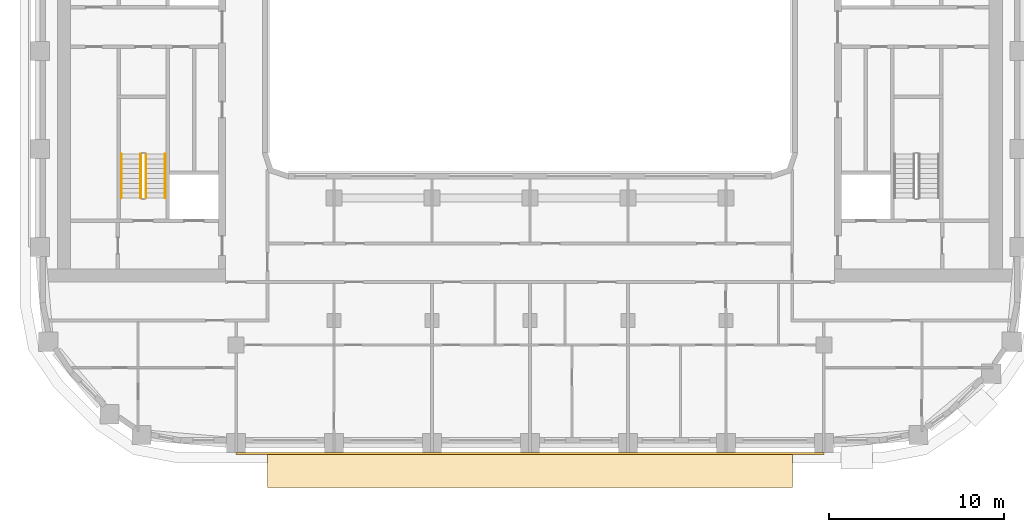
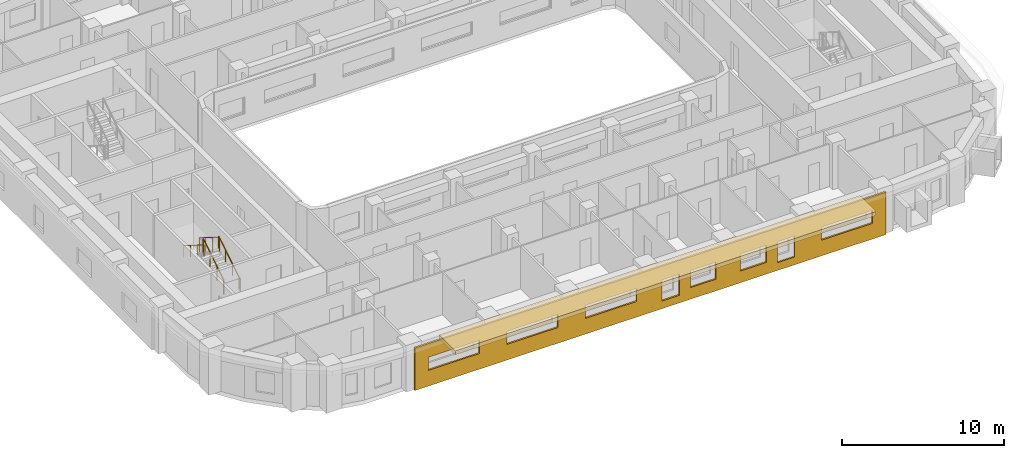
# One storey, part 12 of 22: 4 railings, 2 coverings.
"""IFC4 building model written with IfcOpenShell, lengths in metres."""

from ifc_helpers import new_model, si_unit, direction, frame, origin, origin_2d, place, context, subcontext, project, spatial, polyline, circle, outline, extrude, material, layer, layer_set, type_object, element, save


model = new_model("IFC4")

# Units and contexts
model_context = context("Model", 3, precision=1e-05, world=origin(), true_north=direction((0.0, 1.0)))
body_context = subcontext(model_context, "Body", "Model", "MODEL_VIEW")
ifc_project = project(units=[si_unit("LENGTHUNIT", "METRE"), si_unit("AREAUNIT", "SQUARE_METRE"), si_unit("VOLUMEUNIT", "CUBIC_METRE"), si_unit("PLANEANGLEUNIT", "RADIAN"), si_unit("MASSUNIT", "GRAM", prefix="KILO")], contexts=[model_context])

# Site, building, storey
site_placement = place(None, origin())
site = spatial("IfcSite", under=ifc_project, at=site_placement, CompositionType="ELEMENT")
building_placement = place(site_placement, origin())
building = spatial("IfcBuilding", under=site, at=building_placement, Name="Kiln Ring Residences", CompositionType="ELEMENT")
storey_placement = place(building_placement, frame((0.0, 0.0, 139.60009765625)))
storey = spatial("IfcBuildingStorey", under=building, at=storey_placement, Name="L35", CompositionType="ELEMENT", Elevation=139.60009765625)

# Railings
ifc_material_1 = material(Name="Stainless steel", Category="steel")
railing_type_1 = type_object("IfcRailingType", Name="CORE-STAIR-GUARD", PredefinedType="GUARDRAIL", material=ifc_material_1)
railing_1_placement = place(storey_placement, frame((-21.949951171875, -8.39990234375, 0.1748046875)))
element("IfcRailing", 1, at=railing_1_placement, inside=storey, type_object=railing_type_1, Name="L35 W-STS stair guard 1", PredefinedType="GUARDRAIL", context=body_context, shape_type="SweptSolid", body=[
    extrude(circle(Radius=0.02392578125, at=origin_2d()), frame((0.0, 0.0, 1.076171875), z_axis=(0.0, 0.847970611238, 0.530043245855), x_axis=(-1.0, 0.0, 0.0)), (0.0, 0.0, 1.0), 2.971923828125),
    extrude(circle(Radius=0.02099609375, at=origin_2d()), origin(), (0.0, 0.0, 1.0), 1.052001953125),
    extrude(circle(Radius=0.02099609375, at=origin_2d()), frame((0.0, 0.840087890625, 0.525146484375)), (0.0, 0.0, 1.0), 1.052001953125),
    extrude(circle(Radius=0.02099609375, at=origin_2d()), frame((0.0, 1.679931640625, 1.050048828125)), (0.0, 0.0, 1.0), 1.052001953125),
    extrude(circle(Radius=0.02099609375, at=origin_2d()), frame((0.0, 2.52001953125, 1.5751953125)), (0.0, 0.0, 1.0), 1.052001953125),
])
railing_2_placement = place(storey_placement, frame((-22.25, -5.8798828125, 1.9248046875)))
element("IfcRailing", 2, at=railing_2_placement, inside=storey, type_object=railing_type_1, Name="L35 W-STS stair guard 3", PredefinedType="GUARDRAIL", context=body_context, shape_type="SweptSolid", body=[
    extrude(circle(Radius=0.02392578125, at=origin_2d()), frame((0.0, 0.0, 1.076171875), z_axis=(0.0, -0.847970611238, 0.530043245855), x_axis=(1.0, 0.0, 0.0)), (0.0, 0.0, 1.0), 2.971923828125),
    extrude(circle(Radius=0.02099609375, at=origin_2d()), origin(), (0.0, 0.0, 1.0), 1.052001953125),
    extrude(circle(Radius=0.02099609375, at=origin_2d()), frame((0.0, -0.840087890625, 0.525146484375)), (0.0, 0.0, 1.0), 1.052001953125),
    extrude(circle(Radius=0.02099609375, at=origin_2d()), frame((0.0, -1.679931640625, 1.050048828125)), (0.0, 0.0, 1.0), 1.052001953125),
    extrude(circle(Radius=0.02099609375, at=origin_2d()), frame((0.0, -2.52001953125, 1.5751953125)), (0.0, 0.0, 1.0), 1.052001953125),
])
ifc_material_2 = material(Name="Stainless steel", Category="steel")
railing_type_2 = type_object("IfcRailingType", Name="CORE-STAIR-HANDRAIL", PredefinedType="HANDRAIL", material=ifc_material_2)
railing_3_placement = place(storey_placement, frame((-20.85009765625, -8.39990234375, 0.1748046875)))
element("IfcRailing", 3, at=railing_3_placement, inside=storey, type_object=railing_type_2, Name="L35 W-STS stair handrail 1", PredefinedType="HANDRAIL", context=body_context, shape_type="SweptSolid", body=[
    extrude(circle(Radius=0.02392578125, at=origin_2d()), frame((0.0, 0.0, 0.8759765625), z_axis=(0.0, 0.847970611238, 0.530043245855), x_axis=(-1.0, 0.0, 0.0)), (0.0, 0.0, 1.0), 2.971923828125),
    extrude(circle(Radius=0.02099609375, at=origin_2d()), origin(), (0.0, 0.0, 1.0), 0.851806640625),
    extrude(circle(Radius=0.02099609375, at=origin_2d()), frame((0.0, 0.840087890625, 0.525146484375)), (0.0, 0.0, 1.0), 0.851806640625),
    extrude(circle(Radius=0.02099609375, at=origin_2d()), frame((0.0, 1.679931640625, 1.050048828125)), (0.0, 0.0, 1.0), 0.851806640625),
    extrude(circle(Radius=0.02099609375, at=origin_2d()), frame((0.0, 2.52001953125, 1.5751953125)), (0.0, 0.0, 1.0), 0.851806640625),
])
railing_4_placement = place(storey_placement, frame((-23.35009765625, -5.8798828125, 1.9248046875)))
element("IfcRailing", 4, at=railing_4_placement, inside=storey, type_object=railing_type_2, Name="L35 W-STS stair handrail 2", PredefinedType="HANDRAIL", context=body_context, shape_type="SweptSolid", body=[
    extrude(circle(Radius=0.02392578125, at=origin_2d()), frame((0.0, 0.0, 0.8759765625), z_axis=(0.0, -0.847970611238, 0.530043245855), x_axis=(1.0, 0.0, 0.0)), (0.0, 0.0, 1.0), 2.971923828125),
    extrude(circle(Radius=0.02099609375, at=origin_2d()), origin(), (0.0, 0.0, 1.0), 0.851806640625),
    extrude(circle(Radius=0.02099609375, at=origin_2d()), frame((0.0, -0.840087890625, 0.525146484375)), (0.0, 0.0, 1.0), 0.851806640625),
    extrude(circle(Radius=0.02099609375, at=origin_2d()), frame((0.0, -1.679931640625, 1.050048828125)), (0.0, 0.0, 1.0), 0.851806640625),
    extrude(circle(Radius=0.02099609375, at=origin_2d()), frame((0.0, -2.52001953125, 1.5751953125)), (0.0, 0.0, 1.0), 0.851806640625),
])

# Coverings
ifc_material_3 = material(Name="Brick masonry, dark clay brick", Category="masonry")
ifc_layer_1 = layer(ifc_material_3, 0.1201171875)
ifc_layer_set_1 = layer_set([ifc_layer_1], Name="RAINSCREEN PANEL 120")
covering_type_1 = type_object("IfcCoveringType", Name="RAINSCREEN PANEL 120", PredefinedType="CLADDING", material=ifc_layer_set_1)
covering_1_placement = place(storey_placement, frame((-16.800048828125, -23.010009765625, 0.0), z_axis=(0.0, 0.0, 1.0), x_axis=(1.0, 0.0, 0.0)))
element("IfcCovering", 5, at=covering_1_placement, inside=storey, type_object=covering_type_1, Name="RAINSCREEN L35", PredefinedType="CLADDING", context=body_context, shape_type="SweptSolid", body=[
    extrude(outline(polyline([(0.0, 0.0), (33.60009765625, 0.0), (33.60009765625, 3.199951171875), (0.0, 3.199951171875), (0.0, 0.0)]), holes=[polyline([(17.617431640625, 0.579833984375), (18.857421875, 0.579833984375), (18.857421875, 2.169921875), (17.617431640625, 2.169921875), (17.617431640625, 0.579833984375)]), polyline([(25.842529296875, 0.579833984375), (27.08251953125, 0.579833984375), (27.08251953125, 2.169921875), (25.842529296875, 2.169921875), (25.842529296875, 0.579833984375)]), polyline([(19.642578125, 0.8798828125), (21.482421875, 0.8798828125), (21.482421875, 2.169921875), (19.642578125, 2.169921875), (19.642578125, 0.8798828125)]), polyline([(23.217529296875, 0.8798828125), (25.0576171875, 0.8798828125), (25.0576171875, 2.169921875), (23.217529296875, 2.169921875), (23.217529296875, 0.8798828125)]), polyline([(0.97998046875, 1.179931640625), (4.6201171875, 1.179931640625), (4.6201171875, 2.169921875), (0.97998046875, 2.169921875), (0.97998046875, 1.179931640625)]), polyline([(6.580078125, 1.179931640625), (10.219970703125, 1.179931640625), (10.219970703125, 2.169921875), (6.580078125, 2.169921875), (6.580078125, 1.179931640625)]), polyline([(12.179931640625, 1.179931640625), (15.820068359375, 1.179931640625), (15.820068359375, 2.169921875), (12.179931640625, 2.169921875), (12.179931640625, 1.179931640625)]), polyline([(28.97998046875, 1.179931640625), (32.6201171875, 1.179931640625), (32.6201171875, 2.169921875), (28.97998046875, 2.169921875), (28.97998046875, 1.179931640625)])]), frame((0.0, 0.06005859375, 0.0), z_axis=(0.0, -1.0, 0.0), x_axis=(1.0, 0.0, 0.0)), (0.0, 0.0, 1.0), 0.1201171875),
])
ifc_material_4 = material(Name="Black powder-coated steel", Category="steel")
ifc_layer_2 = layer(ifc_material_4, 0.300048828125)
ifc_layer_set_2 = layer_set([ifc_layer_2], Name="SUNSHADE BAND 2000")
covering_type_2 = type_object("IfcCoveringType", Name="SUNSHADE BAND 2000", PredefinedType="CLADDING", material=ifc_layer_set_2)
covering_2_placement = place(storey_placement, frame((0.0, 0.0, 3.199951171875)))
element("IfcCovering", 6, at=covering_2_placement, inside=storey, type_object=covering_type_2, Name="SUNSHADE BAND L35", PredefinedType="CLADDING", context=body_context, shape_type="SweptSolid", body=[
    extrude(outline(polyline([(-15.0, -24.949951171875), (15.0, -24.949951171875), (15.0, -22.949951171875), (-15.0, -22.949951171875), (-15.0, -24.949951171875)])), origin(), (0.0, 0.0, 1.0), 0.300048828125),
])

save(model, "model.ifc")
